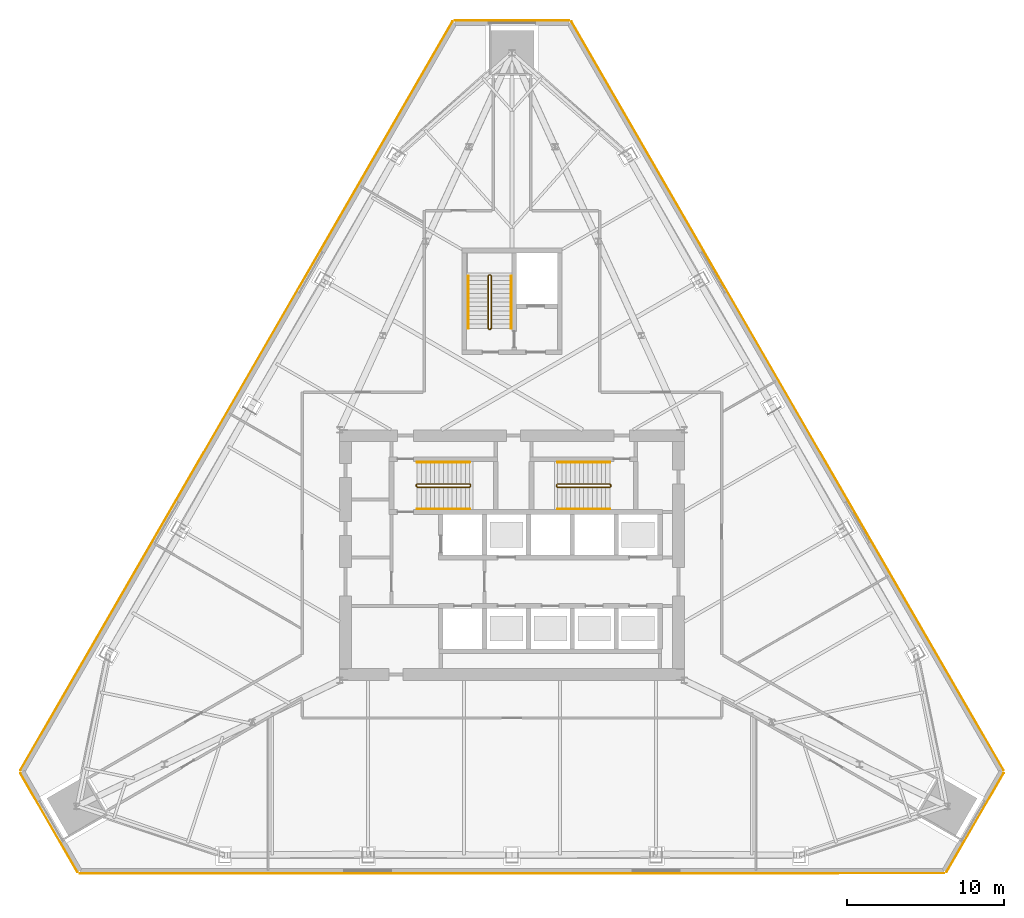
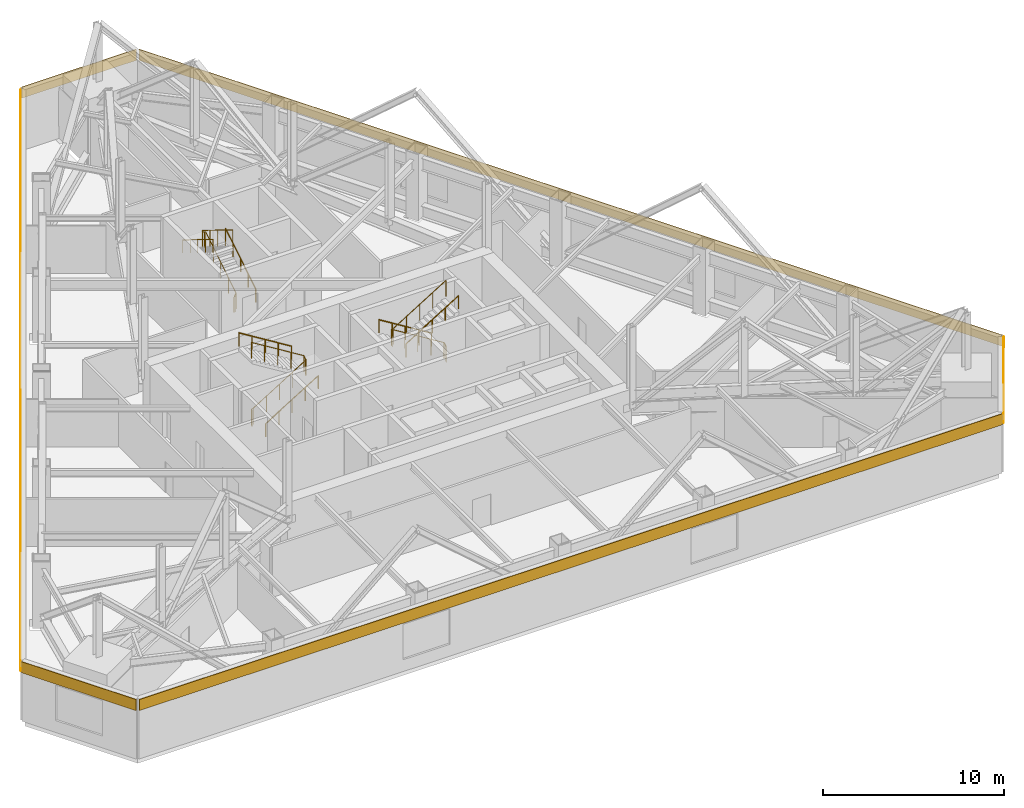
# One storey, part 12 of 13: 9 railings, 6 coverings.
"""IFC4 building model written with IfcOpenShell, lengths in metres."""

from ifc_helpers import new_model, si_unit, direction, frame, origin, origin_2d, place, context, subcontext, project, spatial, polyline, circle, outline, extrude, material, layer, layer_set, type_object, element, save


model = new_model("IFC4")

# Units and contexts
model_context = context("Model", 3, precision=1e-05, world=origin(), true_north=direction((0.0, 1.0)))
body_context = subcontext(model_context, "Body", "Model", "MODEL_VIEW")
ifc_project = project(units=[si_unit("LENGTHUNIT", "METRE"), si_unit("AREAUNIT", "SQUARE_METRE"), si_unit("VOLUMEUNIT", "CUBIC_METRE"), si_unit("PLANEANGLEUNIT", "RADIAN"), si_unit("MASSUNIT", "GRAM", prefix="KILO")], contexts=[model_context])

# Site, building, storey
site_placement = place(None, origin())
site = spatial("IfcSite", under=ifc_project, at=site_placement, CompositionType="ELEMENT")
building_placement = place(site_placement, origin())
building = spatial("IfcBuilding", under=site, at=building_placement, Name="Firuza Gate Tower and Library", CompositionType="ELEMENT")
storey_placement = place(building_placement, frame((0.0, 0.0, 146.800048828125)))
storey = spatial("IfcBuildingStorey", under=building, at=storey_placement, Name="L33", CompositionType="ELEMENT", Elevation=146.800048828125)

# Coverings
ifc_material_1 = material(Name="Glazed ceramic tile, cobalt")
ifc_layer_1 = layer(ifc_material_1, 0.0400390625)
ifc_layer_set_1 = layer_set([ifc_layer_1], Name="Cobalt glazed tile band 40")
covering_type_1 = type_object("IfcCoveringType", Name="Cobalt glazed tile band 40", PredefinedType="CLADDING", material=ifc_layer_set_1)
covering_1_placement = place(storey_placement, frame((47.39794921875, 54.656982421875, 3.300048828125), z_axis=(0.0, -1.0, 0.0), x_axis=(1.0, 0.0, 0.0)))
element("IfcCovering", 1, at=covering_1_placement, inside=storey, type_object=covering_type_1, Name="Glazed tile band", PredefinedType="CLADDING", context=body_context, shape_type="SweptSolid", body=[
    extrude(outline(polyline([(0.0, 0.0), (55.2041015625, 0.0), (55.2041015625, 0.75), (0.0, 0.75), (0.0, 0.0)])), origin(), (0.0, 0.0, -1.0), 0.0400390625),
])
for number, where, z_axis, x_axis, name in (
    (2, (106.41845703125, 61.267578125, 3.300048828125), (0.866024076799, 0.500002298399, 0.0), (-0.500002298399, 0.866024076799, 0.0), "Glazed tile band"),
    (3, (71.18359375, 109.075439453125, 3.300048828125), (-0.866024076799, 0.500002298399, 0.0), (-0.500002298399, -0.866024076799, 0.0), "Glazed tile band"),
):
    element("IfcCovering", number, at=place(storey_placement, frame(where, z_axis=z_axis, x_axis=x_axis)), inside=storey, type_object=covering_type_1, Name=name, PredefinedType="CLADDING", context=body_context, shape_type="SweptSolid", body=[
        extrude(outline(polyline([(0.0, 0.0), (55.203847801579315, 0.0), (55.203847801579315, 0.75), (0.0, 0.75), (0.0, 0.0)])), origin(), (0.0, 0.0, -1.0), 0.0400390625),
    ])

# Railings
ifc_material_2 = material(Name="Steel S355", Category="steel")
railing_type_1 = type_object("IfcRailingType", Name="Stair guard 1100", PredefinedType="GUARDRAIL", material=ifc_material_2)
railing_1_placement = place(storey_placement, frame((68.889892578125, 79.389892578125, 0.0)))
element("IfcRailing", 4, at=railing_1_placement, inside=storey, type_object=railing_type_1, Name="L33 ST1 stair guard 1", PredefinedType="GUARDRAIL", context=body_context, shape_type="SweptSolid", body=[
    extrude(circle(Radius=0.02392578125, at=origin_2d()), frame((0.0, 0.0, 1.076171875), z_axis=(0.0, 1.0, 0.0), x_axis=(-1.0, 0.0, 0.0)), (0.0, 0.0, 1.0), 0.10009765625),
    extrude(circle(Radius=0.02392578125, at=origin_2d()), frame((0.0, 0.10009765625, 1.076171875), z_axis=(0.213529850563, -0.639547942662, 0.73850080024), x_axis=(0.948528701346, 0.316691178788, 0.0)), (0.0, 0.0, 1.0), 0.234375),
    extrude(circle(Radius=0.02392578125, at=origin_2d()), frame((0.050048828125, -0.0498046875, 1.2490234375), z_axis=(0.850623216509, 0.0, 0.525775754039), x_axis=(0.0, 1.0, 0.0)), (0.0, 0.0, 1.0), 3.9501953125),
    extrude(circle(Radius=0.02392578125, at=origin_2d()), frame((3.41015625, -0.0498046875, 3.326171875), z_axis=(0.708833529934, 0.705375805398, 0.0), x_axis=(-0.705375805398, 0.708833529934, 0.0)), (0.0, 0.0, 1.0), 0.070556640625),
    extrude(circle(Radius=0.02392578125, at=origin_2d()), frame((3.460205078125, 0.0, 3.326171875), z_axis=(0.0, 1.0, 0.0), x_axis=(-1.0, 0.0, 0.0)), (0.0, 0.0, 1.0), 0.10009765625),
    extrude(circle(Radius=0.02392578125, at=origin_2d()), frame((3.460205078125, 0.10009765625, 3.326171875), z_axis=(-0.267629722418, 0.267629722418, 0.925607186314), x_axis=(-0.707106781187, -0.707106781187, 0.0)), (0.0, 0.0, 1.0), 0.18701171875),
    extrude(circle(Radius=0.02392578125, at=origin_2d()), frame((3.41015625, 0.150146484375, 3.4990234375), z_axis=(-0.850623216509, 0.0, 0.525775754039), x_axis=(0.0, -1.0, 0.0)), (0.0, 0.0, 1.0), 3.9501953125),
    extrude(circle(Radius=0.02099609375, at=origin_2d()), origin(), (0.0, 0.0, 1.0), 1.052001953125),
    extrude(circle(Radius=0.02099609375, at=origin_2d()), frame((0.0, 0.10009765625, 0.0)), (0.0, 0.0, 1.0), 1.052001953125),
    extrude(circle(Radius=0.02099609375, at=origin_2d()), frame((0.050048828125, -0.0498046875, 0.173095703125)), (0.0, 0.0, 1.0), 1.052001953125),
    extrude(circle(Radius=0.02099609375, at=origin_2d()), frame((0.89013671875, -0.0498046875, 0.6923828125)), (0.0, 0.0, 1.0), 1.052001953125),
    extrude(circle(Radius=0.02099609375, at=origin_2d()), frame((1.72998046875, -0.0498046875, 1.21142578125)), (0.0, 0.0, 1.0), 1.052001953125),
    extrude(circle(Radius=0.02099609375, at=origin_2d()), frame((2.570068359375, -0.0498046875, 1.730712890625)), (0.0, 0.0, 1.0), 1.052001953125),
    extrude(circle(Radius=0.02099609375, at=origin_2d()), frame((3.41015625, -0.0498046875, 2.25)), (0.0, 0.0, 1.0), 1.052001953125),
    extrude(circle(Radius=0.02099609375, at=origin_2d()), frame((3.460205078125, 0.0, 2.25)), (0.0, 0.0, 1.0), 1.052001953125),
    extrude(circle(Radius=0.02099609375, at=origin_2d()), frame((3.460205078125, 0.10009765625, 2.25)), (0.0, 0.0, 1.0), 1.052001953125),
    extrude(circle(Radius=0.02099609375, at=origin_2d()), frame((3.41015625, 0.150146484375, 2.423095703125)), (0.0, 0.0, 1.0), 1.052001953125),
    extrude(circle(Radius=0.02099609375, at=origin_2d()), frame((2.570068359375, 0.150146484375, 2.9423828125)), (0.0, 0.0, 1.0), 1.052001953125),
    extrude(circle(Radius=0.02099609375, at=origin_2d()), frame((1.72998046875, 0.150146484375, 3.46142578125)), (0.0, 0.0, 1.0), 1.052001953125),
    extrude(circle(Radius=0.02099609375, at=origin_2d()), frame((0.89013671875, 0.150146484375, 3.980712890625)), (0.0, 0.0, 1.0), 1.052001953125),
    extrude(circle(Radius=0.02099609375, at=origin_2d()), frame((0.050048828125, 0.150146484375, 4.5)), (0.0, 0.0, 1.0), 1.052001953125),
])
railing_2_placement = place(storey_placement, frame((81.31005859375, 79.489990234375, 0.0)))
element("IfcRailing", 5, at=railing_2_placement, inside=storey, type_object=railing_type_1, Name="L33 ST2 stair guard 1", PredefinedType="GUARDRAIL", context=body_context, shape_type="SweptSolid", body=[
    extrude(circle(Radius=0.02392578125, at=origin_2d()), frame((0.0, 0.0, 1.076171875), z_axis=(0.0, -1.0, 0.0), x_axis=(1.0, 0.0, 0.0)), (0.0, 0.0, 1.0), 0.10009765625),
    extrude(circle(Radius=0.02392578125, at=origin_2d()), frame((0.0, -0.10009765625, 1.076171875), z_axis=(-0.213387632126, 0.640162896378, 0.738008932572), x_axis=(-0.948683298051, -0.316227766017, 0.0)), (0.0, 0.0, 1.0), 0.234619140625),
    extrude(circle(Radius=0.02392578125, at=origin_2d()), frame((-0.050048828125, 0.050048828125, 1.2490234375), z_axis=(-0.850623216509, 0.0, 0.525775754039), x_axis=(0.0, -1.0, 0.0)), (0.0, 0.0, 1.0), 3.9501953125),
    extrude(circle(Radius=0.02392578125, at=origin_2d()), frame((-3.41015625, 0.050048828125, 3.326171875), z_axis=(-0.705375805398, -0.708833529934, 0.0), x_axis=(0.708833529934, -0.705375805398, 0.0)), (0.0, 0.0, 1.0), 0.070556640625),
    extrude(circle(Radius=0.02392578125, at=origin_2d()), frame((-3.4599609375, 0.0, 3.326171875), z_axis=(0.0, -1.0, 0.0), x_axis=(1.0, 0.0, 0.0)), (0.0, 0.0, 1.0), 0.10009765625),
    extrude(circle(Radius=0.02392578125, at=origin_2d()), frame((-3.4599609375, -0.10009765625, 3.326171875), z_axis=(0.26651005591, -0.26651005591, 0.926253086471), x_axis=(0.707106781187, 0.707106781187, 0.0)), (0.0, 0.0, 1.0), 0.186767578125),
    extrude(circle(Radius=0.02392578125, at=origin_2d()), frame((-3.41015625, -0.14990234375, 3.4990234375), z_axis=(0.850623216509, 0.0, 0.525775754039), x_axis=(0.0, 1.0, 0.0)), (0.0, 0.0, 1.0), 3.9501953125),
    extrude(circle(Radius=0.02099609375, at=origin_2d()), origin(), (0.0, 0.0, 1.0), 1.052001953125),
    extrude(circle(Radius=0.02099609375, at=origin_2d()), frame((0.0, -0.10009765625, 0.0)), (0.0, 0.0, 1.0), 1.052001953125),
    extrude(circle(Radius=0.02099609375, at=origin_2d()), frame((-0.050048828125, 0.050048828125, 0.173095703125)), (0.0, 0.0, 1.0), 1.052001953125),
    extrude(circle(Radius=0.02099609375, at=origin_2d()), frame((-0.89013671875, 0.050048828125, 0.6923828125)), (0.0, 0.0, 1.0), 1.052001953125),
    extrude(circle(Radius=0.02099609375, at=origin_2d()), frame((-1.72998046875, 0.050048828125, 1.21142578125)), (0.0, 0.0, 1.0), 1.052001953125),
    extrude(circle(Radius=0.02099609375, at=origin_2d()), frame((-2.570068359375, 0.050048828125, 1.730712890625)), (0.0, 0.0, 1.0), 1.052001953125),
    extrude(circle(Radius=0.02099609375, at=origin_2d()), frame((-3.41015625, 0.050048828125, 2.25)), (0.0, 0.0, 1.0), 1.052001953125),
    extrude(circle(Radius=0.02099609375, at=origin_2d()), frame((-3.4599609375, 0.0, 2.25)), (0.0, 0.0, 1.0), 1.052001953125),
    extrude(circle(Radius=0.02099609375, at=origin_2d()), frame((-3.4599609375, -0.10009765625, 2.25)), (0.0, 0.0, 1.0), 1.052001953125),
    extrude(circle(Radius=0.02099609375, at=origin_2d()), frame((-3.41015625, -0.14990234375, 2.423095703125)), (0.0, 0.0, 1.0), 1.052001953125),
    extrude(circle(Radius=0.02099609375, at=origin_2d()), frame((-2.570068359375, -0.14990234375, 2.9423828125)), (0.0, 0.0, 1.0), 1.052001953125),
    extrude(circle(Radius=0.02099609375, at=origin_2d()), frame((-1.72998046875, -0.14990234375, 3.46142578125)), (0.0, 0.0, 1.0), 1.052001953125),
    extrude(circle(Radius=0.02099609375, at=origin_2d()), frame((-0.89013671875, -0.14990234375, 3.980712890625)), (0.0, 0.0, 1.0), 1.052001953125),
    extrude(circle(Radius=0.02099609375, at=origin_2d()), frame((-0.050048828125, -0.14990234375, 4.5)), (0.0, 0.0, 1.0), 1.052001953125),
])
railing_3_placement = place(storey_placement, frame((73.6298828125, 89.419921875, 0.0)))
element("IfcRailing", 6, at=railing_3_placement, inside=storey, type_object=railing_type_1, Name="L33 ST3 stair guard 1", PredefinedType="GUARDRAIL", context=body_context, shape_type="SweptSolid", body=[
    extrude(circle(Radius=0.02392578125, at=origin_2d()), frame((0.0, 0.0, 1.076171875), z_axis=(-1.0, 0.0, 0.0), x_axis=(0.0, -1.0, 0.0)), (0.0, 0.0, 1.0), 0.099853515625),
    extrude(circle(Radius=0.02392578125, at=origin_2d()), frame((-0.099853515625, 0.0, 1.076171875), z_axis=(0.639547942662, 0.213529850563, 0.73850080024), x_axis=(-0.316691178788, 0.948528701346, 0.0)), (0.0, 0.0, 1.0), 0.234375),
    extrude(circle(Radius=0.02392578125, at=origin_2d()), frame((0.050048828125, 0.050048828125, 1.2490234375), z_axis=(0.0, 0.850623216509, 0.525775754039), x_axis=(-1.0, 0.0, 0.0)), (0.0, 0.0, 1.0), 3.9501953125),
    extrude(circle(Radius=0.02392578125, at=origin_2d()), frame((0.050048828125, 3.41015625, 3.326171875), z_axis=(-0.708833529934, 0.705375805398, 0.0), x_axis=(-0.705375805398, -0.708833529934, 0.0)), (0.0, 0.0, 1.0), 0.070556640625),
    extrude(circle(Radius=0.02392578125, at=origin_2d()), frame((0.0, 3.4599609375, 3.326171875), z_axis=(-1.0, 0.0, 0.0), x_axis=(0.0, -1.0, 0.0)), (0.0, 0.0, 1.0), 0.099853515625),
    extrude(circle(Radius=0.02392578125, at=origin_2d()), frame((-0.099853515625, 3.4599609375, 3.326171875), z_axis=(-0.267723051232, -0.266417085129, 0.925929967433), x_axis=(0.705375805398, -0.708833529934, 0.0)), (0.0, 0.0, 1.0), 0.18701171875),
    extrude(circle(Radius=0.02392578125, at=origin_2d()), frame((-0.14990234375, 3.41015625, 3.4990234375), z_axis=(0.0, -0.850623216509, 0.525775754039), x_axis=(1.0, 0.0, 0.0)), (0.0, 0.0, 1.0), 3.9501953125),
    extrude(circle(Radius=0.02099609375, at=origin_2d()), origin(), (0.0, 0.0, 1.0), 1.052001953125),
    extrude(circle(Radius=0.02099609375, at=origin_2d()), frame((-0.099853515625, 0.0, 0.0)), (0.0, 0.0, 1.0), 1.052001953125),
    extrude(circle(Radius=0.02099609375, at=origin_2d()), frame((0.050048828125, 0.050048828125, 0.173095703125)), (0.0, 0.0, 1.0), 1.052001953125),
    extrude(circle(Radius=0.02099609375, at=origin_2d()), frame((0.050048828125, 0.89013671875, 0.6923828125)), (0.0, 0.0, 1.0), 1.052001953125),
    extrude(circle(Radius=0.02099609375, at=origin_2d()), frame((0.050048828125, 1.72998046875, 1.21142578125)), (0.0, 0.0, 1.0), 1.052001953125),
    extrude(circle(Radius=0.02099609375, at=origin_2d()), frame((0.050048828125, 2.570068359375, 1.730712890625)), (0.0, 0.0, 1.0), 1.052001953125),
    extrude(circle(Radius=0.02099609375, at=origin_2d()), frame((0.050048828125, 3.41015625, 2.25)), (0.0, 0.0, 1.0), 1.052001953125),
    extrude(circle(Radius=0.02099609375, at=origin_2d()), frame((0.0, 3.4599609375, 2.25)), (0.0, 0.0, 1.0), 1.052001953125),
    extrude(circle(Radius=0.02099609375, at=origin_2d()), frame((-0.099853515625, 3.4599609375, 2.25)), (0.0, 0.0, 1.0), 1.052001953125),
    extrude(circle(Radius=0.02099609375, at=origin_2d()), frame((-0.14990234375, 3.41015625, 2.423095703125)), (0.0, 0.0, 1.0), 1.052001953125),
    extrude(circle(Radius=0.02099609375, at=origin_2d()), frame((-0.14990234375, 2.570068359375, 2.9423828125)), (0.0, 0.0, 1.0), 1.052001953125),
    extrude(circle(Radius=0.02099609375, at=origin_2d()), frame((-0.14990234375, 1.72998046875, 3.46142578125)), (0.0, 0.0, 1.0), 1.052001953125),
    extrude(circle(Radius=0.02099609375, at=origin_2d()), frame((-0.14990234375, 0.89013671875, 3.980712890625)), (0.0, 0.0, 1.0), 1.052001953125),
    extrude(circle(Radius=0.02099609375, at=origin_2d()), frame((-0.14990234375, 0.050048828125, 4.5)), (0.0, 0.0, 1.0), 1.052001953125),
])
ifc_material_3 = material(Name="Steel S355", Category="steel")
railing_type_2 = type_object("IfcRailingType", Name="Stair handrail 900", PredefinedType="HANDRAIL", material=ifc_material_3)
railing_4_placement = place(storey_placement, frame((68.93994140625, 77.949951171875, 0.173095703125)))
element("IfcRailing", 7, at=railing_4_placement, inside=storey, type_object=railing_type_2, Name="L33 ST1 stair handrail 1", PredefinedType="HANDRAIL", context=body_context, shape_type="SweptSolid", body=[
    extrude(circle(Radius=0.02392578125, at=origin_2d()), frame((0.0, 0.0, 0.8759765625), z_axis=(0.850623216509, 0.0, 0.525775754039), x_axis=(0.0, 1.0, 0.0)), (0.0, 0.0, 1.0), 3.9501953125),
    extrude(circle(Radius=0.02099609375, at=origin_2d()), origin(), (0.0, 0.0, 1.0), 0.851806640625),
    extrude(circle(Radius=0.02099609375, at=origin_2d()), frame((0.840087890625, 0.0, 0.519287109375)), (0.0, 0.0, 1.0), 0.851806640625),
    extrude(circle(Radius=0.02099609375, at=origin_2d()), frame((1.68017578125, 0.0, 1.03857421875)), (0.0, 0.0, 1.0), 0.851806640625),
    extrude(circle(Radius=0.02099609375, at=origin_2d()), frame((2.52001953125, 0.0, 1.5576171875)), (0.0, 0.0, 1.0), 0.851806640625),
    extrude(circle(Radius=0.02099609375, at=origin_2d()), frame((3.360107421875, 0.0, 2.076904296875)), (0.0, 0.0, 1.0), 0.851806640625),
])
for number, where, name in (
    (8, (72.300048828125, 80.929931640625, 2.423095703125), "L33 ST1 stair handrail 2"),
    (9, (81.260009765625, 80.929931640625, 0.173095703125), "L33 ST2 stair handrail 1"),
):
    element("IfcRailing", number, at=place(storey_placement, frame(where)), inside=storey, type_object=railing_type_2, Name=name, PredefinedType="HANDRAIL", context=body_context, shape_type="SweptSolid", body=[
        extrude(circle(Radius=0.02392578125, at=origin_2d()), frame((0.0, 0.0, 0.8759765625), z_axis=(-0.850623216509, 0.0, 0.525775754039), x_axis=(0.0, -1.0, 0.0)), (0.0, 0.0, 1.0), 3.9501953125),
        extrude(circle(Radius=0.02099609375, at=origin_2d()), origin(), (0.0, 0.0, 1.0), 0.851806640625),
        extrude(circle(Radius=0.02099609375, at=origin_2d()), frame((-0.840087890625, 0.0, 0.519287109375)), (0.0, 0.0, 1.0), 0.851806640625),
        extrude(circle(Radius=0.02099609375, at=origin_2d()), frame((-1.68017578125, 0.0, 1.03857421875)), (0.0, 0.0, 1.0), 0.851806640625),
        extrude(circle(Radius=0.02099609375, at=origin_2d()), frame((-2.52001953125, 0.0, 1.5576171875)), (0.0, 0.0, 1.0), 0.851806640625),
        extrude(circle(Radius=0.02099609375, at=origin_2d()), frame((-3.360107421875, 0.0, 2.076904296875)), (0.0, 0.0, 1.0), 0.851806640625),
    ])
railing_5_placement = place(storey_placement, frame((77.89990234375, 77.949951171875, 2.423095703125)))
element("IfcRailing", 10, at=railing_5_placement, inside=storey, type_object=railing_type_2, Name="L33 ST2 stair handrail 2", PredefinedType="HANDRAIL", context=body_context, shape_type="SweptSolid", body=[
    extrude(circle(Radius=0.02392578125, at=origin_2d()), frame((0.0, 0.0, 0.8759765625), z_axis=(0.850623216509, 0.0, 0.525775754039), x_axis=(0.0, 1.0, 0.0)), (0.0, 0.0, 1.0), 3.9501953125),
    extrude(circle(Radius=0.02099609375, at=origin_2d()), origin(), (0.0, 0.0, 1.0), 0.851806640625),
    extrude(circle(Radius=0.02099609375, at=origin_2d()), frame((0.840087890625, 0.0, 0.519287109375)), (0.0, 0.0, 1.0), 0.851806640625),
    extrude(circle(Radius=0.02099609375, at=origin_2d()), frame((1.68017578125, 0.0, 1.03857421875)), (0.0, 0.0, 1.0), 0.851806640625),
    extrude(circle(Radius=0.02099609375, at=origin_2d()), frame((2.52001953125, 0.0, 1.5576171875)), (0.0, 0.0, 1.0), 0.851806640625),
    extrude(circle(Radius=0.02099609375, at=origin_2d()), frame((3.360107421875, 0.0, 2.076904296875)), (0.0, 0.0, 1.0), 0.851806640625),
])
railing_6_placement = place(storey_placement, frame((74.949951171875, 89.469970703125, 0.173095703125)))
element("IfcRailing", 11, at=railing_6_placement, inside=storey, type_object=railing_type_2, Name="L33 ST3 stair handrail 1", PredefinedType="HANDRAIL", context=body_context, shape_type="SweptSolid", body=[
    extrude(circle(Radius=0.02392578125, at=origin_2d()), frame((0.0, 0.0, 0.8759765625), z_axis=(0.0, 0.850623216509, 0.525775754039), x_axis=(-1.0, 0.0, 0.0)), (0.0, 0.0, 1.0), 3.9501953125),
    extrude(circle(Radius=0.02099609375, at=origin_2d()), origin(), (0.0, 0.0, 1.0), 0.851806640625),
    extrude(circle(Radius=0.02099609375, at=origin_2d()), frame((0.0, 0.840087890625, 0.519287109375)), (0.0, 0.0, 1.0), 0.851806640625),
    extrude(circle(Radius=0.02099609375, at=origin_2d()), frame((0.0, 1.68017578125, 1.03857421875)), (0.0, 0.0, 1.0), 0.851806640625),
    extrude(circle(Radius=0.02099609375, at=origin_2d()), frame((0.0, 2.52001953125, 1.5576171875)), (0.0, 0.0, 1.0), 0.851806640625),
    extrude(circle(Radius=0.02099609375, at=origin_2d()), frame((0.0, 3.360107421875, 2.076904296875)), (0.0, 0.0, 1.0), 0.851806640625),
])
railing_7_placement = place(storey_placement, frame((72.2099609375, 92.830078125, 2.423095703125)))
element("IfcRailing", 12, at=railing_7_placement, inside=storey, type_object=railing_type_2, Name="L33 ST3 stair handrail 2", PredefinedType="HANDRAIL", context=body_context, shape_type="SweptSolid", body=[
    extrude(circle(Radius=0.02392578125, at=origin_2d()), frame((0.0, 0.0, 0.8759765625), z_axis=(0.0, -0.850623216509, 0.525775754039), x_axis=(1.0, 0.0, 0.0)), (0.0, 0.0, 1.0), 3.9501953125),
    extrude(circle(Radius=0.02099609375, at=origin_2d()), origin(), (0.0, 0.0, 1.0), 0.851806640625),
    extrude(circle(Radius=0.02099609375, at=origin_2d()), frame((0.0, -0.840087890625, 0.519287109375)), (0.0, 0.0, 1.0), 0.851806640625),
    extrude(circle(Radius=0.02099609375, at=origin_2d()), frame((0.0, -1.68017578125, 1.03857421875)), (0.0, 0.0, 1.0), 0.851806640625),
    extrude(circle(Radius=0.02099609375, at=origin_2d()), frame((0.0, -2.52001953125, 1.5576171875)), (0.0, 0.0, 1.0), 0.851806640625),
    extrude(circle(Radius=0.02099609375, at=origin_2d()), frame((0.0, -3.360107421875, 2.076904296875)), (0.0, 0.0, 1.0), 0.851806640625),
])

# Coverings
ifc_material_4 = material(Name="Glazed ceramic tile, turquoise")
ifc_layer_2 = layer(ifc_material_4, 0.0400390625)
ifc_layer_set_2 = layer_set([ifc_layer_2], Name="Turquoise glazed tile band 40")
covering_type_2 = type_object("IfcCoveringType", Name="Turquoise glazed tile band 40", PredefinedType="CLADDING", material=ifc_layer_set_2)
covering_2_placement = place(storey_placement, frame((102.7666015625, 54.752197265625, 3.300048828125), z_axis=(0.866025270247, -0.500000231294, 0.0), x_axis=(0.500000231294, 0.866025270247, 0.0)))
element("IfcCovering", 13, at=covering_2_placement, inside=storey, type_object=covering_type_2, Name="Glazed tile band", PredefinedType="CLADDING", context=body_context, shape_type="SweptSolid", body=[
    extrude(outline(polyline([(0.0, 0.0), (7.303707558898512, 0.0), (7.303707558898512, 0.75), (0.0, 0.75), (0.0, 0.0)])), origin(), (0.0, 0.0, -1.0), 0.0400390625),
])
covering_3_placement = place(storey_placement, frame((78.65185546875, 109.17041015625, 3.300048828125), z_axis=(0.0, 1.0, 0.0), x_axis=(-1.0, 0.0, 0.0)))
element("IfcCovering", 14, at=covering_3_placement, inside=storey, type_object=covering_type_2, Name="Glazed tile band", PredefinedType="CLADDING", context=body_context, shape_type="SweptSolid", body=[
    extrude(outline(polyline([(0.0, 0.0), (7.3037109375, 0.0), (7.3037109375, 0.75), (0.0, 0.75), (0.0, 0.0)])), origin(), (0.0, 0.0, -1.0), 0.0400390625),
])
covering_4_placement = place(storey_placement, frame((43.58154296875, 61.077392578125, 3.300048828125), z_axis=(-0.866025270247, -0.500000231294, 0.0), x_axis=(0.500000231294, -0.866025270247, 0.0)))
element("IfcCovering", 15, at=covering_4_placement, inside=storey, type_object=covering_type_2, Name="Glazed tile band", PredefinedType="CLADDING", context=body_context, shape_type="SweptSolid", body=[
    extrude(outline(polyline([(0.0, 0.0), (7.303707558898512, 0.0), (7.303707558898512, 0.75), (0.0, 0.75), (0.0, 0.0)])), origin(), (0.0, 0.0, -1.0), 0.0400390625),
])

save(model, "model.ifc")
